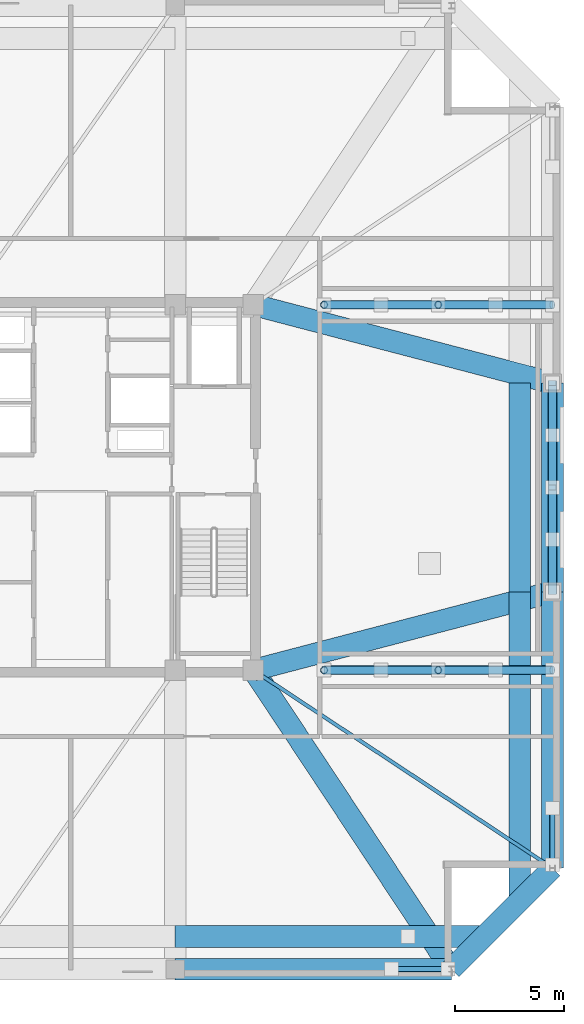
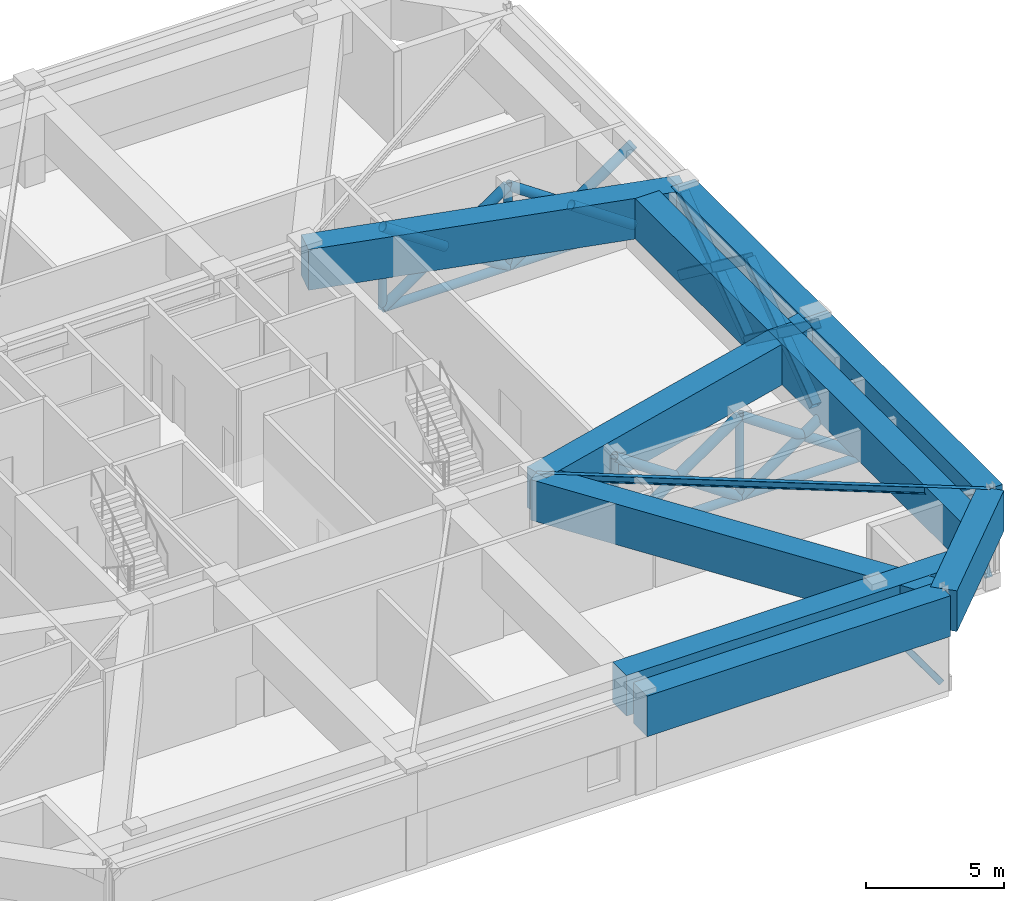
# One storey, part 8 of 17: 26 members, 11 beams.
"""IFC4 building model written with IfcOpenShell, lengths in metres."""

from ifc_helpers import new_model, si_unit, direction, frame, origin, origin_2d, place, context, subcontext, project, spatial, rectangle, hollow_rectangle, hollow_circle, i_section, extrude, material, material_profile, profile_set, type_object, element, save


model = new_model("IFC4")

# Units and contexts
model_context = context("Model", 3, precision=1e-05, world=origin(), true_north=direction((0.0, 1.0)))
body_context = subcontext(model_context, "Body", "Model", "MODEL_VIEW")
ifc_project = project(units=[si_unit("LENGTHUNIT", "METRE"), si_unit("AREAUNIT", "SQUARE_METRE"), si_unit("VOLUMEUNIT", "CUBIC_METRE"), si_unit("PLANEANGLEUNIT", "RADIAN"), si_unit("MASSUNIT", "GRAM", prefix="KILO")], contexts=[model_context])

# Site, building, storey
site_placement = place(None, origin())
site = spatial("IfcSite", under=ifc_project, at=site_placement, CompositionType="ELEMENT")
building_placement = place(site_placement, origin())
building = spatial("IfcBuilding", under=site, at=building_placement, Name="Cairnveth Concourse Tower", CompositionType="ELEMENT")
storey_placement = place(building_placement, frame((0.0, 0.0, 276.0)))
storey = spatial("IfcBuildingStorey", under=building, at=storey_placement, Name="L76", CompositionType="ELEMENT", Elevation=276.0)

# Members
ifc_material_1 = material(Name="Steel C350L0 (350 MPa)", Category="steel")
ifc_material_profile_1 = material_profile(ifc_material_1, hollow_circle(Radius=0.177734375, WallThickness=0.01611328125, at=origin_2d()), Name="355.6x16.0CHS")
ifc_profile_set_1 = profile_set([ifc_material_profile_1], Name="Steel C350L0 (350 MPa)")
member_type_1 = type_object("IfcMemberType", Name="BELT TRUSS CHORD 355.6X16CHS", PredefinedType="CHORD", material=ifc_profile_set_1)
for number, where, z_axis, x_axis, name in (
    (1, (63.64990234375, 30.60009765625, 0.25), (1.0, 0.0, 0.0), (0.0, 1.0, 0.0), "Structural Brace OUT-OE1A-CH L76"),
    (2, (63.64990234375, 47.39990234375, 0.25), (1.0, 0.0, 0.0), (0.0, 1.0, 0.0), "Structural Brace OUT-OE2A-CH L76"),
):
    element("IfcMember", number, at=place(storey_placement, frame(where, z_axis=z_axis, x_axis=x_axis)), inside=storey, type_object=member_type_1, Name=name, PredefinedType="CHORD", context=body_context, shape_type="SweptSolid", body=[
        extrude(hollow_circle(Radius=0.177734375, WallThickness=0.01611328125, at=origin_2d()), origin(), (0.0, 0.0, 1.0), 10.5),
    ])
ifc_material_profile_2 = material_profile(ifc_material_1, hollow_rectangle(XDim=0.39990234375, YDim=0.39990234375, WallThickness=0.01611328125, InnerFilletRadius=0.01611328125, OuterFilletRadius=0.031982421875, at=origin_2d()), Name="400x400x16.0SHS")
ifc_profile_set_2 = profile_set([ifc_material_profile_2], Name="Steel C350L0 (350 MPa)")
member_type_2 = type_object("IfcMemberType", Name="BELT TRUSS DIAGONAL 400X400X16SHS", PredefinedType="BRACE", material=ifc_profile_set_2)
member_1_placement = place(storey_placement, frame((74.14990234375, 34.199951171875, 0.25), z_axis=(0.0, 0.800795977004, 0.598937228109), x_axis=(-1.0, 0.0, 0.0)))
element("IfcMember", 3, at=member_1_placement, inside=storey, type_object=member_type_2, Name="Structural Brace BLT-BE1A L76", PredefinedType="BRACE", context=body_context, shape_type="SweptSolid", body=[
    extrude(hollow_rectangle(XDim=0.39990234375, YDim=0.39990234375, WallThickness=0.01611328125, InnerFilletRadius=0.01611328125, OuterFilletRadius=0.031982421875, at=origin_2d()), origin(), (0.0, 0.0, 1.0), 5.994140625),
])
for number, where, z_axis, x_axis, name in (
    (4, (74.14990234375, 39.0, 0.25), (0.0, -0.800814731391, 0.598912152145), (1.0, 0.0, 0.0), "Structural Brace BLT-BE1B1 L76"),
    (5, (74.14990234375, 36.587890625, 2.053955078125), (0.0, -0.800775463126, 0.598964654763), (1.0, 0.0, 0.0), "Structural Brace BLT-BE1B2 L76"),
):
    element("IfcMember", number, at=place(storey_placement, frame(where, z_axis=z_axis, x_axis=x_axis)), inside=storey, type_object=member_type_2, Name=name, PredefinedType="BRACE", context=body_context, shape_type="SweptSolid", body=[
        extrude(hollow_rectangle(XDim=0.39990234375, YDim=0.39990234375, WallThickness=0.01611328125, InnerFilletRadius=0.01611328125, OuterFilletRadius=0.031982421875, at=origin_2d()), origin(), (0.0, 0.0, 1.0), 2.98193359375),
    ])
member_2_placement = place(storey_placement, frame((74.14990234375, 39.0, 0.25), z_axis=(0.0, 0.800795977004, 0.598937228109), x_axis=(-1.0, 0.0, 0.0)))
element("IfcMember", 6, at=member_2_placement, inside=storey, type_object=member_type_2, Name="Structural Brace BLT-BE2A L76", PredefinedType="BRACE", context=body_context, shape_type="SweptSolid", body=[
    extrude(hollow_rectangle(XDim=0.39990234375, YDim=0.39990234375, WallThickness=0.01611328125, InnerFilletRadius=0.01611328125, OuterFilletRadius=0.031982421875, at=origin_2d()), origin(), (0.0, 0.0, 1.0), 5.994140625),
])
for number, where, z_axis, x_axis, name in (
    (7, (74.14990234375, 43.800048828125, 0.25), (0.0, -0.800814731391, 0.598912152145), (1.0, 0.0, 0.0), "Structural Brace BLT-BE2B1 L76"),
    (8, (74.14990234375, 41.387939453125, 2.053955078125), (0.0, -0.800775463126, 0.598964654763), (1.0, 0.0, 0.0), "Structural Brace BLT-BE2B2 L76"),
):
    element("IfcMember", number, at=place(storey_placement, frame(where, z_axis=z_axis, x_axis=x_axis)), inside=storey, type_object=member_type_2, Name=name, PredefinedType="BRACE", context=body_context, shape_type="SweptSolid", body=[
        extrude(hollow_rectangle(XDim=0.39990234375, YDim=0.39990234375, WallThickness=0.01611328125, InnerFilletRadius=0.01611328125, OuterFilletRadius=0.031982421875, at=origin_2d()), origin(), (0.0, 0.0, 1.0), 2.98193359375),
    ])

# Beams
ifc_material_2 = material(Name="Concrete N65 (65 MPa)", Category="concrete")
ifc_material_profile_3 = material_profile(ifc_material_2, rectangle(XDim=1.0, YDim=1.800048828125, at=origin_2d()), Name="RC-TB-1000x1800")
ifc_profile_set_3 = profile_set([ifc_material_profile_3], Name="Concrete N65 (65 MPa)")
beam_type_1 = type_object("IfcBeamType", Name="CONCRETE TRANSFER GIRDER 1000X1800", PredefinedType="BEAM", material=ifc_profile_set_3)
for number, where, z_axis, x_axis, name in (
    (9, (56.800048828125, 16.85009765625, 3.389892578125), (1.0, 0.0, 0.0), (0.0, 1.0, 0.0), "Beam SP-S3 L76"),
    (10, (74.14990234375, 21.5, 3.389892578125), (0.0, 1.0, 0.0), (-1.0, 0.0, 0.0), "Beam SP-E1 L76"),
):
    element("IfcBeam", number, at=place(storey_placement, frame(where, z_axis=z_axis, x_axis=x_axis)), inside=storey, type_object=beam_type_1, Name=name, PredefinedType="BEAM", context=body_context, shape_type="SweptSolid", body=[
        extrude(rectangle(XDim=1.0, YDim=1.800048828125, at=origin_2d()), origin(), (0.0, 0.0, 1.0), 12.699951171875),
    ])
beam_1_placement = place(storey_placement, frame((74.14990234375, 34.199951171875, 3.389892578125), z_axis=(0.0, 1.0, 0.0), x_axis=(-1.0, 0.0, 0.0)))
element("IfcBeam", 11, at=beam_1_placement, inside=storey, type_object=beam_type_1, Name="Beam SP-E2 L76", PredefinedType="BEAM", context=body_context, shape_type="SweptSolid", body=[
    extrude(rectangle(XDim=1.0, YDim=1.800048828125, at=origin_2d()), origin(), (0.0, 0.0, 1.0), 9.60009765625),
])
beam_2_placement = place(storey_placement, frame((69.5, 16.85009765625, 3.389892578125), z_axis=(0.707106781187, 0.707106781187, 0.0), x_axis=(-0.707106781187, 0.707106781187, 0.0)))
element("IfcBeam", 12, at=beam_2_placement, inside=storey, type_object=beam_type_1, Name="Beam SP-SE L76", PredefinedType="BEAM", context=body_context, shape_type="SweptSolid", body=[
    extrude(rectangle(XDim=1.0, YDim=1.800048828125, at=origin_2d()), origin(), (0.0, 0.0, 1.0), 6.575927734375),
])
beam_3_placement = place(storey_placement, frame((69.5, 16.85009765625, 3.389892578125), z_axis=(-0.551902031848, 0.833908956207, 0.0), x_axis=(-0.833908956207, -0.551902031848, 0.0)))
element("IfcBeam", 13, at=beam_3_placement, inside=storey, type_object=beam_type_1, Name="Beam RG-CSE L76", PredefinedType="BEAM", context=body_context, shape_type="SweptSolid", body=[
    extrude(rectangle(XDim=1.0, YDim=1.800048828125, at=origin_2d()), origin(), (0.0, 0.0, 1.0), 16.488525390625),
])
for number, where, z_axis, x_axis, name in (
    (14, (60.39990234375, 30.60009765625, 3.389892578125), (0.967395273598, 0.253271365575, 0.0), (-0.253271365575, 0.967395273598, 0.0), "Beam RG-E1 L76"),
    (15, (60.39990234375, 47.39990234375, 3.389892578125), (0.967395273598, -0.253271365575, 0.0), (0.253271365575, 0.967395273598, 0.0), "Beam RG-E2 L76"),
):
    element("IfcBeam", number, at=place(storey_placement, frame(where, z_axis=z_axis, x_axis=x_axis)), inside=storey, type_object=beam_type_1, Name=name, PredefinedType="BEAM", context=body_context, shape_type="SweptSolid", body=[
        extrude(rectangle(XDim=1.0, YDim=1.800048828125, at=origin_2d()), origin(), (0.0, 0.0, 1.0), 14.21337890625),
    ])
for number, where, z_axis, x_axis, name in (
    (16, (56.800048828125, 18.35009765625, 3.389892578125), (1.0, 0.0, 0.0), (0.0, 1.0, 0.0), "Beam STG-S3 L76"),
    (17, (72.64990234375, 20.0, 3.389892578125), (0.0, 1.0, 0.0), (-1.0, 0.0, 0.0), "Beam STG-E1 L76"),
):
    element("IfcBeam", number, at=place(storey_placement, frame(where, z_axis=z_axis, x_axis=x_axis)), inside=storey, type_object=beam_type_1, Name=name, PredefinedType="BEAM", context=body_context, shape_type="SweptSolid", body=[
        extrude(rectangle(XDim=1.0, YDim=1.800048828125, at=origin_2d()), origin(), (0.0, 0.0, 1.0), 14.199951171875),
    ])
beam_4_placement = place(storey_placement, frame((72.64990234375, 34.199951171875, 3.389892578125), z_axis=(0.0, 1.0, 0.0), x_axis=(-1.0, 0.0, 0.0)))
element("IfcBeam", 18, at=beam_4_placement, inside=storey, type_object=beam_type_1, Name="Beam STG-E2 L76", PredefinedType="BEAM", context=body_context, shape_type="SweptSolid", body=[
    extrude(rectangle(XDim=1.0, YDim=1.800048828125, at=origin_2d()), origin(), (0.0, 0.0, 1.0), 9.60009765625),
])

# Members
ifc_material_profile_4 = material_profile(ifc_material_1, hollow_circle(Radius=0.203125, WallThickness=0.01611328125, at=origin_2d()), Name="406.4x16.0CHS")
ifc_profile_set_4 = profile_set([ifc_material_profile_4], Name="Steel C350L0 (350 MPa)")
member_type_3 = type_object("IfcMemberType", Name="OUTRIGGER DIAGONAL 406.4X16CHS", PredefinedType="BRACE", material=ifc_profile_set_4)
member_3_placement = place(storey_placement, frame((63.64990234375, 30.60009765625, 0.25), z_axis=(0.825455055734, 0.0, 0.56446784759), x_axis=(0.0, 1.0, 0.0)))
element("IfcMember", 19, at=member_3_placement, inside=storey, type_object=member_type_3, Name="Structural Brace OUT-OE1A-P1A L76", PredefinedType="BRACE", context=body_context, shape_type="SweptSolid", body=[
    extrude(hollow_circle(Radius=0.203125, WallThickness=0.01611328125, at=origin_2d()), origin(), (0.0, 0.0, 1.0), 6.360107421875),
])
member_4_placement = place(storey_placement, frame((63.64990234375, 30.60009765625, 3.840087890625), z_axis=(0.825466149493, 0.0, -0.564451624181), x_axis=(0.0, 1.0, 0.0)))
element("IfcMember", 20, at=member_4_placement, inside=storey, type_object=member_type_3, Name="Structural Brace OUT-OE1A-P1B1 L76", PredefinedType="BRACE", context=body_context, shape_type="SweptSolid", body=[
    extrude(hollow_circle(Radius=0.203125, WallThickness=0.01611328125, at=origin_2d()), origin(), (0.0, 0.0, 1.0), 3.165283203125),
])
member_5_placement = place(storey_placement, frame((66.287353515625, 30.60009765625, 2.03662109375), z_axis=(0.825441572471, 0.0, -0.564487564465), x_axis=(0.0, 1.0, 0.0)))
element("IfcMember", 21, at=member_5_placement, inside=storey, type_object=member_type_3, Name="Structural Brace OUT-OE1A-P1B2 L76", PredefinedType="BRACE", context=body_context, shape_type="SweptSolid", body=[
    extrude(hollow_circle(Radius=0.203125, WallThickness=0.01611328125, at=origin_2d()), origin(), (0.0, 0.0, 1.0), 3.1650390625),
])
member_6_placement = place(storey_placement, frame((68.89990234375, 30.60009765625, 0.25), z_axis=(0.825455055734, 0.0, 0.56446784759), x_axis=(0.0, 1.0, 0.0)))
element("IfcMember", 22, at=member_6_placement, inside=storey, type_object=member_type_3, Name="Structural Brace OUT-OE1A-P2A L76", PredefinedType="BRACE", context=body_context, shape_type="SweptSolid", body=[
    extrude(hollow_circle(Radius=0.203125, WallThickness=0.01611328125, at=origin_2d()), origin(), (0.0, 0.0, 1.0), 6.360107421875),
])
member_7_placement = place(storey_placement, frame((68.89990234375, 30.60009765625, 3.840087890625), z_axis=(0.825466149493, 0.0, -0.564451624181), x_axis=(0.0, 1.0, 0.0)))
element("IfcMember", 23, at=member_7_placement, inside=storey, type_object=member_type_3, Name="Structural Brace OUT-OE1A-P2B1 L76", PredefinedType="BRACE", context=body_context, shape_type="SweptSolid", body=[
    extrude(hollow_circle(Radius=0.203125, WallThickness=0.01611328125, at=origin_2d()), origin(), (0.0, 0.0, 1.0), 3.165283203125),
])
member_8_placement = place(storey_placement, frame((71.537353515625, 30.60009765625, 2.03662109375), z_axis=(0.825441572471, 0.0, -0.564487564465), x_axis=(0.0, 1.0, 0.0)))
element("IfcMember", 24, at=member_8_placement, inside=storey, type_object=member_type_3, Name="Structural Brace OUT-OE1A-P2B2 L76", PredefinedType="BRACE", context=body_context, shape_type="SweptSolid", body=[
    extrude(hollow_circle(Radius=0.203125, WallThickness=0.01611328125, at=origin_2d()), origin(), (0.0, 0.0, 1.0), 3.1650390625),
])
member_9_placement = place(storey_placement, frame((63.64990234375, 47.39990234375, 0.25), z_axis=(0.825455055734, 0.0, 0.56446784759), x_axis=(0.0, 1.0, 0.0)))
element("IfcMember", 25, at=member_9_placement, inside=storey, type_object=member_type_3, Name="Structural Brace OUT-OE2A-P1A L76", PredefinedType="BRACE", context=body_context, shape_type="SweptSolid", body=[
    extrude(hollow_circle(Radius=0.203125, WallThickness=0.01611328125, at=origin_2d()), origin(), (0.0, 0.0, 1.0), 6.360107421875),
])
member_10_placement = place(storey_placement, frame((63.64990234375, 47.39990234375, 3.840087890625), z_axis=(0.825466149493, 0.0, -0.564451624181), x_axis=(0.0, 1.0, 0.0)))
element("IfcMember", 26, at=member_10_placement, inside=storey, type_object=member_type_3, Name="Structural Brace OUT-OE2A-P1B1 L76", PredefinedType="BRACE", context=body_context, shape_type="SweptSolid", body=[
    extrude(hollow_circle(Radius=0.203125, WallThickness=0.01611328125, at=origin_2d()), origin(), (0.0, 0.0, 1.0), 3.165283203125),
])
member_11_placement = place(storey_placement, frame((66.287353515625, 47.39990234375, 2.03662109375), z_axis=(0.825441572471, 0.0, -0.564487564465), x_axis=(0.0, 1.0, 0.0)))
element("IfcMember", 27, at=member_11_placement, inside=storey, type_object=member_type_3, Name="Structural Brace OUT-OE2A-P1B2 L76", PredefinedType="BRACE", context=body_context, shape_type="SweptSolid", body=[
    extrude(hollow_circle(Radius=0.203125, WallThickness=0.01611328125, at=origin_2d()), origin(), (0.0, 0.0, 1.0), 3.1650390625),
])
member_12_placement = place(storey_placement, frame((68.89990234375, 47.39990234375, 0.25), z_axis=(0.825455055734, 0.0, 0.56446784759), x_axis=(0.0, 1.0, 0.0)))
element("IfcMember", 28, at=member_12_placement, inside=storey, type_object=member_type_3, Name="Structural Brace OUT-OE2A-P2A L76", PredefinedType="BRACE", context=body_context, shape_type="SweptSolid", body=[
    extrude(hollow_circle(Radius=0.203125, WallThickness=0.01611328125, at=origin_2d()), origin(), (0.0, 0.0, 1.0), 6.360107421875),
])
member_13_placement = place(storey_placement, frame((68.89990234375, 47.39990234375, 3.840087890625), z_axis=(0.825466149493, 0.0, -0.564451624181), x_axis=(0.0, 1.0, 0.0)))
element("IfcMember", 29, at=member_13_placement, inside=storey, type_object=member_type_3, Name="Structural Brace OUT-OE2A-P2B1 L76", PredefinedType="BRACE", context=body_context, shape_type="SweptSolid", body=[
    extrude(hollow_circle(Radius=0.203125, WallThickness=0.01611328125, at=origin_2d()), origin(), (0.0, 0.0, 1.0), 3.165283203125),
])
member_14_placement = place(storey_placement, frame((71.537353515625, 47.39990234375, 2.03662109375), z_axis=(0.825441572471, 0.0, -0.564487564465), x_axis=(0.0, 1.0, 0.0)))
element("IfcMember", 30, at=member_14_placement, inside=storey, type_object=member_type_3, Name="Structural Brace OUT-OE2A-P2B2 L76", PredefinedType="BRACE", context=body_context, shape_type="SweptSolid", body=[
    extrude(hollow_circle(Radius=0.203125, WallThickness=0.01611328125, at=origin_2d()), origin(), (0.0, 0.0, 1.0), 3.1650390625),
])
ifc_material_profile_5 = material_profile(ifc_material_1, hollow_circle(Radius=0.161865234375, WallThickness=0.0126953125, at=origin_2d()), Name="323.9x12.7CHS")
ifc_profile_set_5 = profile_set([ifc_material_profile_5], Name="Steel C350L0 (350 MPa)")
member_type_4 = type_object("IfcMemberType", Name="OUTRIGGER KING STRUT 323.9X12.7CHS", PredefinedType="STRUT", material=ifc_profile_set_5)
for number, where, z_axis, x_axis, name in (
    (31, (68.89990234375, 30.60009765625, 0.25), (0.0, 0.0, 1.0), (1.0, 0.0, 0.0), "Structural Brace OUT-OE1A-SR L76"),
    (32, (63.64990234375, 30.60009765625, 0.25), (0.0, 0.0, 1.0), (1.0, 0.0, 0.0), "Structural Brace OUT-OE1A-SRE L76"),
    (33, (68.89990234375, 47.39990234375, 0.25), (0.0, 0.0, 1.0), (1.0, 0.0, 0.0), "Structural Brace OUT-OE2A-SR L76"),
    (34, (63.64990234375, 47.39990234375, 0.25), (0.0, 0.0, 1.0), (1.0, 0.0, 0.0), "Structural Brace OUT-OE2A-SRE L76"),
):
    element("IfcMember", number, at=place(storey_placement, frame(where, z_axis=z_axis, x_axis=x_axis)), inside=storey, type_object=member_type_4, Name=name, PredefinedType="STRUT", context=body_context, shape_type="SweptSolid", body=[
        extrude(hollow_circle(Radius=0.161865234375, WallThickness=0.0126953125, at=origin_2d()), origin(), (0.0, 0.0, 1.0), 3.590087890625),
    ])

# Beam
ifc_material_3 = material(Name="Steel Grade 350", Category="steel")
ifc_material_profile_6 = material_profile(ifc_material_3, i_section(OverallWidth=0.166015625, OverallDepth=0.306884765625, WebThickness=0.006591796875, FlangeThickness=0.01171875, FilletRadius=0.010986328125, at=origin_2d()), Name="310UB46.2")
ifc_profile_set_6 = profile_set([ifc_material_profile_6], Name="Steel Grade 350")
beam_type_2 = type_object("IfcBeamType", Name="ZONE 3 FLOOR JOIST 310UB46.2", PredefinedType="JOIST", material=ifc_profile_set_6)
beam_5_placement = place(storey_placement, frame((74.14990234375, 21.5, 4.136474609375), z_axis=(-0.833908956207, 0.551902031848, 0.0), x_axis=(-0.551902031848, -0.833908956207, 0.0)))
element("IfcBeam", 35, at=beam_5_placement, inside=storey, type_object=beam_type_2, Name="Beam FJ-CSE2 L76", PredefinedType="JOIST", context=body_context, shape_type="SweptSolid", body=[
    extrude(i_section(OverallWidth=0.166015625, OverallDepth=0.306884765625, WebThickness=0.006591796875, FlangeThickness=0.01171875, FilletRadius=0.010986328125, at=origin_2d()), origin(), (0.0, 0.0, 1.0), 16.488525390625),
])

# Members
ifc_material_profile_7 = material_profile(ifc_material_1, hollow_rectangle(XDim=0.25, YDim=0.25, WallThickness=0.012451171875, InnerFilletRadius=0.012939453125, OuterFilletRadius=0.02490234375, at=origin_2d()), Name="250x250x12.5SHS")
ifc_profile_set_7 = profile_set([ifc_material_profile_7], Name="Steel C350L0 (350 MPa)")
member_type_5 = type_object("IfcMemberType", Name="ZONE 3 PIER BRACE 250X250X12.5SHS", PredefinedType="BRACE", material=ifc_profile_set_7)
for number, where, z_axis, x_axis, name in (
    (36, (69.35009765625, 16.85009765625, 0.25), (-0.586565875469, 0.0, 0.809901521011), (0.0, -1.0, 0.0), "Structural Brace PB-S2 L76"),
    (37, (74.14990234375, 21.64990234375, 0.25), (0.0, 0.586565875469, 0.809901521011), (-1.0, 0.0, 0.0), "Structural Brace PB-E1 L76"),
):
    element("IfcMember", number, at=place(storey_placement, frame(where, z_axis=z_axis, x_axis=x_axis)), inside=storey, type_object=member_type_5, Name=name, PredefinedType="BRACE", context=body_context, shape_type="SweptSolid", body=[
        extrude(hollow_rectangle(XDim=0.25, YDim=0.25, WallThickness=0.012451171875, InnerFilletRadius=0.012939453125, OuterFilletRadius=0.02490234375, at=origin_2d()), origin(), (0.0, 0.0, 1.0), 4.432861328125),
    ])

save(model, "model.ifc")
